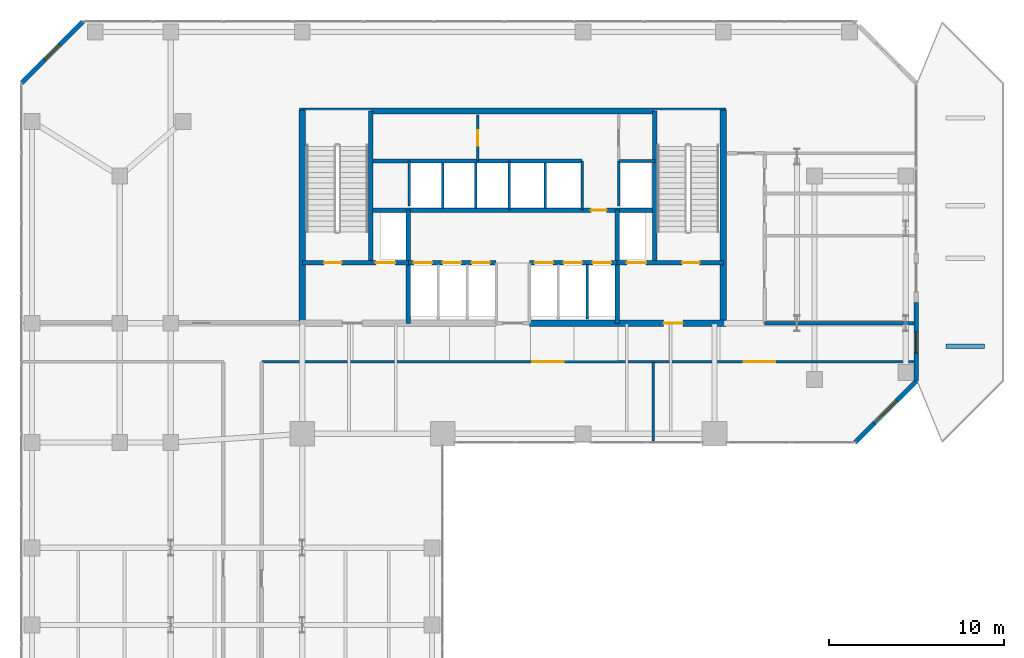
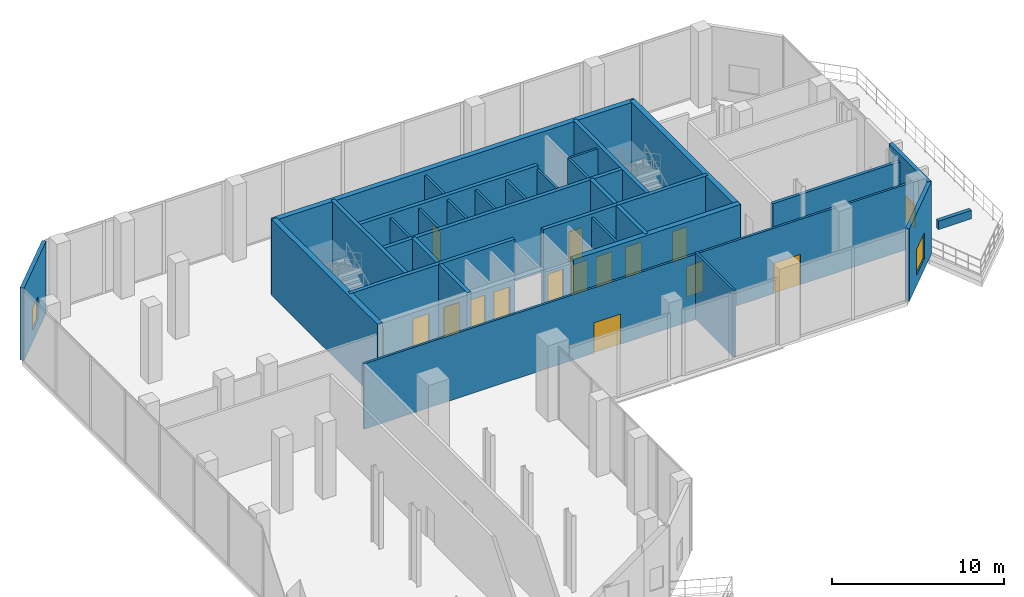
# One storey, part 21 of 24: 31 walls, 15 doors, 3 windows, 18 openings.
"""IFC4 building model written with IfcOpenShell, lengths in metres."""

from ifc_helpers import new_model, si_unit, direction, frame, frame_2d, origin, place, context, subcontext, project, spatial, rectangle, extrude, material, layer, layer_set, type_object, element, fill, save


model = new_model("IFC4")

# Units and contexts
model_context = context("Model", 3, precision=1e-05, world=origin(), true_north=direction((0.0, 1.0)))
body_context = subcontext(model_context, "Body", "Model", "MODEL_VIEW")
ifc_project = project(units=[si_unit("LENGTHUNIT", "METRE"), si_unit("AREAUNIT", "SQUARE_METRE"), si_unit("VOLUMEUNIT", "CUBIC_METRE"), si_unit("PLANEANGLEUNIT", "RADIAN"), si_unit("MASSUNIT", "GRAM", prefix="KILO")], contexts=[model_context])

# Site, building, storey
site_placement = place(None, origin())
site = spatial("IfcSite", under=ifc_project, at=site_placement, CompositionType="ELEMENT")
building_placement = place(site_placement, origin())
building = spatial("IfcBuilding", under=site, at=building_placement, Name="Catumbela Crestline Tower", CompositionType="ELEMENT")
storey_placement = place(building_placement, frame((0.0, 0.0, 84.6)))
storey = spatial("IfcBuildingStorey", under=building, at=storey_placement, Name="L21", CompositionType="ELEMENT", Elevation=84.6)

# Walls
ifc_material_1 = material(Name="Concrete C50/60", Category="concrete")
ifc_layer_1 = layer(ifc_material_1, 0.25, Name="Concrete C50/60")
ifc_layer_set_1 = layer_set([ifc_layer_1], Name="Concrete C50/60")
wall_type_1 = type_object("IfcWallType", Name="CW-250D", PredefinedType="SHEAR", material=ifc_layer_set_1)
for number, where, z_axis, x_axis, name in (
    (1, (19.9, 34.25, 0.0), (0.0, 0.0, 1.0), (0.0, 1.0, 0.0), "L21 Structural Core Shear Wall WWEB"),
    (2, (36.1, 34.25, 0.0), (0.0, 0.0, 1.0), (0.0, 1.0, 0.0), "L21 Structural Core Shear Wall EWEB"),
):
    element("IfcWall", number, at=place(storey_placement, frame(where, z_axis=z_axis, x_axis=x_axis)), inside=storey, type_object=wall_type_1, Name=name, PredefinedType="SHEAR", context=body_context, shape_type="SweptSolid", body=[
        extrude(rectangle(XDim=8.65, YDim=0.25, at=frame_2d((4.325, 0.0))), origin(), (0.0, 0.0, 1.0), 5.4),
    ])
for number, where, z_axis, x_axis, name in (
    (3, (22.05, 30.8, 0.0), (0.0, 0.0, 1.0), (0.0, 1.0, 0.0), "L21 Structural Core Shear Wall FFW"),
    (4, (33.95, 30.8, 0.0), (0.0, 0.0, 1.0), (0.0, 1.0, 0.0), "L21 Structural Core Shear Wall FFE"),
):
    element("IfcWall", number, at=place(storey_placement, frame(where, z_axis=z_axis, x_axis=x_axis)), inside=storey, type_object=wall_type_1, Name=name, PredefinedType="SHEAR", context=body_context, shape_type="SweptSolid", body=[
        extrude(rectangle(XDim=6.45, YDim=0.25, at=frame_2d((3.225, 0.0))), origin(), (0.0, 0.0, 1.0), 5.4),
    ])

# Wall, openings, doors
wall_1_placement = place(storey_placement, frame((16.0, 34.25, 0.0), z_axis=(0.0, 0.0, 1.0), x_axis=(1.0, 0.0, 0.0)))
wall_1 = element("IfcWall", 5, at=wall_1_placement, inside=storey, type_object=wall_type_1, Name="L21 Structural Core Shear Wall ST1S", PredefinedType="SHEAR", context=body_context, shape_type="SweptSolid", body=[
    extrude(rectangle(XDim=6.05, YDim=0.25, at=frame_2d((3.025, 0.0))), origin(), (0.0, 0.0, 1.0), 5.4),
])
opening_1_placement = place(wall_1_placement, frame((1.25, 0.0, 0.0)))
opening_1 = element("IfcOpeningElement", 6, at=opening_1_placement, cuts=wall_1, Name="Opening DF9-100", PredefinedType="OPENING", context=body_context, shape_type="SweptSolid", body=[
    extrude(rectangle(XDim=1.0, YDim=2.15, at=frame_2d((0.5, 1.075))), frame((0.0, 0.135, 0.0), z_axis=(0.0, -1.0, 0.0), x_axis=(1.0, 0.0, 0.0)), (0.0, 0.0, 1.0), 0.27),
])
opening_2_placement = place(wall_1_placement, frame((4.2, 0.0, 0.0)))
opening_2 = element("IfcOpeningElement", 7, at=opening_2_placement, cuts=wall_1, Name="Opening LD-110", PredefinedType="OPENING", context=body_context, shape_type="SweptSolid", body=[
    extrude(rectangle(XDim=1.1, YDim=2.15, at=frame_2d((0.55, 1.075))), frame((0.0, 0.135, 0.0), z_axis=(0.0, -1.0, 0.0), x_axis=(1.0, 0.0, 0.0)), (0.0, 0.0, 1.0), 0.27),
])
ifc_material_2 = material(Name="Stainless steel EN 1.4401", Category="steel")
door_type_1 = type_object("IfcDoorType", Name="DF9-100", OperationType="NOTDEFINED", PredefinedType="DOOR", material=ifc_material_2)
door_1_placement = place(opening_1_placement, origin())
door_1 = element("IfcDoor", 8, at=door_1_placement, inside=storey, type_object=door_type_1, Name="L21 Interior Door DR-L21-ST01", OperationType="SINGLE_SWING_LEFT", OverallHeight=2.15, OverallWidth=1.0, PredefinedType="DOOR", context=body_context, shape_type="SweptSolid", body=[
    extrude(rectangle(XDim=1.0, YDim=2.15, at=frame_2d((0.5, 1.075))), frame((0.0, 0.025, 0.0), z_axis=(0.0, -1.0, 0.0), x_axis=(1.0, 0.0, 0.0)), (0.0, 0.0, 1.0), 0.05),
])
fill(opening_1, door_1)
door_type_2 = type_object("IfcDoorType", Name="LD-110", OperationType="NOTDEFINED", PredefinedType="DOOR", material=ifc_material_2)
door_2_placement = place(opening_2_placement, origin())
door_2 = element("IfcDoor", 9, at=door_2_placement, inside=storey, type_object=door_type_2, Name="L21 Lift Landing Sliding Door FL-01", OperationType="DOUBLE_DOOR_SLIDING", OverallHeight=2.15, OverallWidth=1.1, PredefinedType="DOOR", context=body_context, shape_type="SweptSolid", body=[
    extrude(rectangle(XDim=1.1, YDim=2.15, at=frame_2d((0.55, 1.075))), frame((0.0, 0.025, 0.0), z_axis=(0.0, -1.0, 0.0), x_axis=(1.0, 0.0, 0.0)), (0.0, 0.0, 1.0), 0.05),
])
fill(opening_2, door_2)

wall_2_placement = place(storey_placement, frame((33.95, 34.25, 0.0), z_axis=(0.0, 0.0, 1.0), x_axis=(1.0, 0.0, 0.0)))
wall_2 = element("IfcWall", 10, at=wall_2_placement, inside=storey, type_object=wall_type_1, Name="L21 Structural Core Shear Wall ST2S", PredefinedType="SHEAR", context=body_context, shape_type="SweptSolid", body=[
    extrude(rectangle(XDim=6.05, YDim=0.25, at=frame_2d((3.025, 0.0))), origin(), (0.0, 0.0, 1.0), 5.4),
])
opening_3_placement = place(wall_2_placement, frame((3.7, 0.0, 0.0)))
opening_3 = element("IfcOpeningElement", 11, at=opening_3_placement, cuts=wall_2, Name="Opening DF9-100", PredefinedType="OPENING", context=body_context, shape_type="SweptSolid", body=[
    extrude(rectangle(XDim=1.0, YDim=2.15, at=frame_2d((0.5, 1.075))), frame((0.0, 0.135, 0.0), z_axis=(0.0, -1.0, 0.0), x_axis=(1.0, 0.0, 0.0)), (0.0, 0.0, 1.0), 0.27),
])
opening_4_placement = place(wall_2_placement, frame((0.55, 0.0, 0.0)))
opening_4 = element("IfcOpeningElement", 12, at=opening_4_placement, cuts=wall_2, Name="Opening LD-110", PredefinedType="OPENING", context=body_context, shape_type="SweptSolid", body=[
    extrude(rectangle(XDim=1.1, YDim=2.15, at=frame_2d((0.55, 1.075))), frame((0.0, 0.135, 0.0), z_axis=(0.0, -1.0, 0.0), x_axis=(1.0, 0.0, 0.0)), (0.0, 0.0, 1.0), 0.27),
])
door_3_placement = place(opening_3_placement, origin())
door_3 = element("IfcDoor", 13, at=door_3_placement, inside=storey, type_object=door_type_1, Name="L21 Interior Door DR-L21-ST02", OperationType="SINGLE_SWING_RIGHT", OverallHeight=2.15, OverallWidth=1.0, PredefinedType="DOOR", context=body_context, shape_type="SweptSolid", body=[
    extrude(rectangle(XDim=1.0, YDim=2.15, at=frame_2d((0.5, 1.075))), frame((0.0, 0.025, 0.0), z_axis=(0.0, -1.0, 0.0), x_axis=(1.0, 0.0, 0.0)), (0.0, 0.0, 1.0), 0.05),
])
fill(opening_3, door_3)
door_4_placement = place(opening_4_placement, origin())
door_4 = element("IfcDoor", 14, at=door_4_placement, inside=storey, type_object=door_type_2, Name="L21 Lift Landing Sliding Door FL-02", OperationType="DOUBLE_DOOR_SLIDING", OverallHeight=2.15, OverallWidth=1.1, PredefinedType="DOOR", context=body_context, shape_type="SweptSolid", body=[
    extrude(rectangle(XDim=1.1, YDim=2.15, at=frame_2d((0.55, 1.075))), frame((0.0, 0.025, 0.0), z_axis=(0.0, -1.0, 0.0), x_axis=(1.0, 0.0, 0.0)), (0.0, 0.0, 1.0), 0.05),
])
fill(opening_4, door_4)

wall_3_placement = place(storey_placement, frame((22.05, 34.25, 0.0), z_axis=(0.0, 0.0, 1.0), x_axis=(1.0, 0.0, 0.0)))
wall_3 = element("IfcWall", 15, at=wall_3_placement, inside=storey, type_object=wall_type_1, Name="L21 Structural Core Shear Wall LIFTS-W", PredefinedType="SHEAR", context=body_context, shape_type="SweptSolid", body=[
    extrude(rectangle(XDim=5.0, YDim=0.25, at=frame_2d((2.5, 0.0))), origin(), (0.0, 0.0, 1.0), 5.4),
])
opening_5_placement = place(wall_3_placement, frame((0.3, 0.0, 0.0)))
opening_5 = element("IfcOpeningElement", 16, at=opening_5_placement, cuts=wall_3, Name="Opening LD-105", PredefinedType="OPENING", context=body_context, shape_type="SweptSolid", body=[
    extrude(rectangle(XDim=1.05, YDim=2.15, at=frame_2d((0.525, 1.075))), frame((0.0, 0.135, 0.0), z_axis=(0.0, -1.0, 0.0), x_axis=(1.0, 0.0, 0.0)), (0.0, 0.0, 1.0), 0.27),
])
opening_6_placement = place(wall_3_placement, frame((1.95, 0.0, 0.0)))
opening_6 = element("IfcOpeningElement", 17, at=opening_6_placement, cuts=wall_3, Name="Opening LD-105", PredefinedType="OPENING", context=body_context, shape_type="SweptSolid", body=[
    extrude(rectangle(XDim=1.05, YDim=2.15, at=frame_2d((0.525, 1.075))), frame((0.0, 0.135, 0.0), z_axis=(0.0, -1.0, 0.0), x_axis=(1.0, 0.0, 0.0)), (0.0, 0.0, 1.0), 0.27),
])
opening_7_placement = place(wall_3_placement, frame((3.6, 0.0, 0.0)))
opening_7 = element("IfcOpeningElement", 18, at=opening_7_placement, cuts=wall_3, Name="Opening LD-105", PredefinedType="OPENING", context=body_context, shape_type="SweptSolid", body=[
    extrude(rectangle(XDim=1.05, YDim=2.15, at=frame_2d((0.525, 1.075))), frame((0.0, 0.135, 0.0), z_axis=(0.0, -1.0, 0.0), x_axis=(1.0, 0.0, 0.0)), (0.0, 0.0, 1.0), 0.27),
])
door_type_3 = type_object("IfcDoorType", Name="LD-105", OperationType="NOTDEFINED", PredefinedType="DOOR", material=ifc_material_2)
door_5_placement = place(opening_5_placement, origin())
door_5 = element("IfcDoor", 19, at=door_5_placement, inside=storey, type_object=door_type_3, Name="L21 Lift Landing Sliding Door PL-L1", OperationType="DOUBLE_DOOR_SLIDING", OverallHeight=2.15, OverallWidth=1.05, PredefinedType="DOOR", context=body_context, shape_type="SweptSolid", body=[
    extrude(rectangle(XDim=1.05, YDim=2.15, at=frame_2d((0.525, 1.075))), frame((0.0, 0.025, 0.0), z_axis=(0.0, -1.0, 0.0), x_axis=(1.0, 0.0, 0.0)), (0.0, 0.0, 1.0), 0.05),
])
fill(opening_5, door_5)
door_6_placement = place(opening_6_placement, origin())
door_6 = element("IfcDoor", 20, at=door_6_placement, inside=storey, type_object=door_type_3, Name="L21 Lift Landing Sliding Door PL-L2", OperationType="DOUBLE_DOOR_SLIDING", OverallHeight=2.15, OverallWidth=1.05, PredefinedType="DOOR", context=body_context, shape_type="SweptSolid", body=[
    extrude(rectangle(XDim=1.05, YDim=2.15, at=frame_2d((0.525, 1.075))), frame((0.0, 0.025, 0.0), z_axis=(0.0, -1.0, 0.0), x_axis=(1.0, 0.0, 0.0)), (0.0, 0.0, 1.0), 0.05),
])
fill(opening_6, door_6)
door_7_placement = place(opening_7_placement, origin())
door_7 = element("IfcDoor", 21, at=door_7_placement, inside=storey, type_object=door_type_3, Name="L21 Lift Landing Sliding Door PL-L3", OperationType="DOUBLE_DOOR_SLIDING", OverallHeight=2.15, OverallWidth=1.05, PredefinedType="DOOR", context=body_context, shape_type="SweptSolid", body=[
    extrude(rectangle(XDim=1.05, YDim=2.15, at=frame_2d((0.525, 1.075))), frame((0.0, 0.025, 0.0), z_axis=(0.0, -1.0, 0.0), x_axis=(1.0, 0.0, 0.0)), (0.0, 0.0, 1.0), 0.05),
])
fill(opening_7, door_7)

wall_4_placement = place(storey_placement, frame((28.95, 34.25, 0.0), z_axis=(0.0, 0.0, 1.0), x_axis=(1.0, 0.0, 0.0)))
wall_4 = element("IfcWall", 22, at=wall_4_placement, inside=storey, type_object=wall_type_1, Name="L21 Structural Core Shear Wall LIFTS-E", PredefinedType="SHEAR", context=body_context, shape_type="SweptSolid", body=[
    extrude(rectangle(XDim=5.0, YDim=0.25, at=frame_2d((2.5, 0.0))), origin(), (0.0, 0.0, 1.0), 5.4),
])
opening_8_placement = place(wall_4_placement, frame((0.3, 0.0, 0.0)))
opening_8 = element("IfcOpeningElement", 23, at=opening_8_placement, cuts=wall_4, Name="Opening LD-105", PredefinedType="OPENING", context=body_context, shape_type="SweptSolid", body=[
    extrude(rectangle(XDim=1.05, YDim=2.15, at=frame_2d((0.525, 1.075))), frame((0.0, 0.135, 0.0), z_axis=(0.0, -1.0, 0.0), x_axis=(1.0, 0.0, 0.0)), (0.0, 0.0, 1.0), 0.27),
])
opening_9_placement = place(wall_4_placement, frame((1.95, 0.0, 0.0)))
opening_9 = element("IfcOpeningElement", 24, at=opening_9_placement, cuts=wall_4, Name="Opening LD-105", PredefinedType="OPENING", context=body_context, shape_type="SweptSolid", body=[
    extrude(rectangle(XDim=1.05, YDim=2.15, at=frame_2d((0.525, 1.075))), frame((0.0, 0.135, 0.0), z_axis=(0.0, -1.0, 0.0), x_axis=(1.0, 0.0, 0.0)), (0.0, 0.0, 1.0), 0.27),
])
opening_10_placement = place(wall_4_placement, frame((3.6, 0.0, 0.0)))
opening_10 = element("IfcOpeningElement", 25, at=opening_10_placement, cuts=wall_4, Name="Opening LD-105", PredefinedType="OPENING", context=body_context, shape_type="SweptSolid", body=[
    extrude(rectangle(XDim=1.05, YDim=2.15, at=frame_2d((0.525, 1.075))), frame((0.0, 0.135, 0.0), z_axis=(0.0, -1.0, 0.0), x_axis=(1.0, 0.0, 0.0)), (0.0, 0.0, 1.0), 0.27),
])
door_8_placement = place(opening_8_placement, origin())
door_8 = element("IfcDoor", 26, at=door_8_placement, inside=storey, type_object=door_type_3, Name="L21 Lift Landing Sliding Door PL-M1", OperationType="DOUBLE_DOOR_SLIDING", OverallHeight=2.15, OverallWidth=1.05, PredefinedType="DOOR", context=body_context, shape_type="SweptSolid", body=[
    extrude(rectangle(XDim=1.05, YDim=2.15, at=frame_2d((0.525, 1.075))), frame((0.0, 0.025, 0.0), z_axis=(0.0, -1.0, 0.0), x_axis=(1.0, 0.0, 0.0)), (0.0, 0.0, 1.0), 0.05),
])
fill(opening_8, door_8)
door_9_placement = place(opening_9_placement, origin())
door_9 = element("IfcDoor", 27, at=door_9_placement, inside=storey, type_object=door_type_3, Name="L21 Lift Landing Sliding Door PL-M2", OperationType="DOUBLE_DOOR_SLIDING", OverallHeight=2.15, OverallWidth=1.05, PredefinedType="DOOR", context=body_context, shape_type="SweptSolid", body=[
    extrude(rectangle(XDim=1.05, YDim=2.15, at=frame_2d((0.525, 1.075))), frame((0.0, 0.025, 0.0), z_axis=(0.0, -1.0, 0.0), x_axis=(1.0, 0.0, 0.0)), (0.0, 0.0, 1.0), 0.05),
])
fill(opening_9, door_9)
door_10_placement = place(opening_10_placement, origin())
door_10 = element("IfcDoor", 28, at=door_10_placement, inside=storey, type_object=door_type_3, Name="L21 Lift Landing Sliding Door PL-M3", OperationType="DOUBLE_DOOR_SLIDING", OverallHeight=2.15, OverallWidth=1.05, PredefinedType="DOOR", context=body_context, shape_type="SweptSolid", body=[
    extrude(rectangle(XDim=1.05, YDim=2.15, at=frame_2d((0.525, 1.075))), frame((0.0, 0.025, 0.0), z_axis=(0.0, -1.0, 0.0), x_axis=(1.0, 0.0, 0.0)), (0.0, 0.0, 1.0), 0.05),
])
fill(opening_10, door_10)

# Wall, opening, door
wall_5_placement = place(storey_placement, frame((19.9, 37.25, 0.0), z_axis=(0.0, 0.0, 1.0), x_axis=(1.0, 0.0, 0.0)))
wall_5 = element("IfcWall", 29, at=wall_5_placement, inside=storey, type_object=wall_type_1, Name="L21 Structural Core Shear Wall LIFTN", PredefinedType="SHEAR", context=body_context, shape_type="SweptSolid", body=[
    extrude(rectangle(XDim=16.2, YDim=0.25, at=frame_2d((8.1, 0.0))), origin(), (0.0, 0.0, 1.0), 5.4),
])
opening_11_placement = place(wall_5_placement, frame((12.55, 0.0, 0.0)))
opening_11 = element("IfcOpeningElement", 30, at=opening_11_placement, cuts=wall_5, Name="Opening DF9-090", PredefinedType="OPENING", context=body_context, shape_type="SweptSolid", body=[
    extrude(rectangle(XDim=0.9, YDim=2.15, at=frame_2d((0.45, 1.075))), frame((0.0, 0.135, 0.0), z_axis=(0.0, -1.0, 0.0), x_axis=(1.0, 0.0, 0.0)), (0.0, 0.0, 1.0), 0.27),
])
door_type_4 = type_object("IfcDoorType", Name="DF9-090", OperationType="NOTDEFINED", PredefinedType="DOOR", material=ifc_material_2)
door_11_placement = place(opening_11_placement, origin())
door_11 = element("IfcDoor", 31, at=door_11_placement, inside=storey, type_object=door_type_4, Name="L21 Interior Door DR-L21-CPAS1", OperationType="SINGLE_SWING_LEFT", OverallHeight=2.15, OverallWidth=0.9, PredefinedType="DOOR", context=body_context, shape_type="SweptSolid", body=[
    extrude(rectangle(XDim=0.9, YDim=2.15, at=frame_2d((0.45, 1.075))), frame((0.0, 0.025, 0.0), z_axis=(0.0, -1.0, 0.0), x_axis=(1.0, 0.0, 0.0)), (0.0, 0.0, 1.0), 0.05),
])
fill(opening_11, door_11)

# Walls
wall_6_placement = place(storey_placement, frame((19.9, 40.05, 0.0), z_axis=(0.0, 0.0, 1.0), x_axis=(1.0, 0.0, 0.0)))
element("IfcWall", 32, at=wall_6_placement, inside=storey, type_object=wall_type_1, Name="L21 Structural Core Shear Wall COREN", PredefinedType="SHEAR", context=body_context, shape_type="SweptSolid", body=[
    extrude(rectangle(XDim=12.05, YDim=0.25, at=frame_2d((6.025, 0.0))), origin(), (0.0, 0.0, 1.0), 5.4),
])
ifc_layer_2 = layer(ifc_material_1, 0.35, Name="Concrete C50/60")
ifc_layer_set_2 = layer_set([ifc_layer_2], Name="Concrete C50/60")
wall_type_2 = type_object("IfcWallType", Name="CW-350B", PredefinedType="SHEAR", material=ifc_layer_set_2)
for number, where, z_axis, x_axis, name in (
    (33, (16.0, 30.65, 0.0), (0.0, 0.0, 1.0), (0.0, 1.0, 0.0), "L21 Structural Core Shear Wall W"),
    (34, (40.0, 30.65, 0.0), (0.0, 0.0, 1.0), (0.0, 1.0, 0.0), "L21 Structural Core Shear Wall E"),
):
    element("IfcWall", number, at=place(storey_placement, frame(where, z_axis=z_axis, x_axis=x_axis)), inside=storey, type_object=wall_type_2, Name=name, PredefinedType="SHEAR", context=body_context, shape_type="SweptSolid", body=[
        extrude(rectangle(XDim=12.3, YDim=0.35, at=frame_2d((6.15, 0.0))), origin(), (0.0, 0.0, 1.0), 5.4),
    ])
wall_7_placement = place(storey_placement, frame((15.85, 42.9, 0.0), z_axis=(0.0, 0.0, 1.0), x_axis=(1.0, 0.0, 0.0)))
element("IfcWall", 35, at=wall_7_placement, inside=storey, type_object=wall_type_2, Name="L21 Structural Core Shear Wall N", PredefinedType="SHEAR", context=body_context, shape_type="SweptSolid", body=[
    extrude(rectangle(XDim=24.3, YDim=0.35, at=frame_2d((12.15, 0.0))), origin(), (0.0, 0.0, 1.0), 5.4),
])

# Wall, opening, door
wall_8_placement = place(storey_placement, frame((28.95, 30.8, 0.0), z_axis=(0.0, 0.0, 1.0), x_axis=(1.0, 0.0, 0.0)))
wall_8 = element("IfcWall", 36, at=wall_8_placement, inside=storey, type_object=wall_type_2, Name="L21 Structural Core Shear Wall SE", PredefinedType="SHEAR", context=body_context, shape_type="SweptSolid", body=[
    extrude(rectangle(XDim=11.2, YDim=0.35, at=frame_2d((5.6, 0.0))), origin(), (0.0, 0.0, 1.0), 5.4),
])
opening_12_placement = place(wall_8_placement, frame((7.65, 0.0, 0.0)))
opening_12 = element("IfcOpeningElement", 37, at=opening_12_placement, cuts=wall_8, Name="Opening DF9-110", PredefinedType="OPENING", context=body_context, shape_type="SweptSolid", body=[
    extrude(rectangle(XDim=1.1, YDim=2.15, at=frame_2d((0.55, 1.075))), frame((0.0, 0.185, 0.0), z_axis=(0.0, -1.0, 0.0), x_axis=(1.0, 0.0, 0.0)), (0.0, 0.0, 1.0), 0.37),
])
door_type_5 = type_object("IfcDoorType", Name="DF9-110", OperationType="NOTDEFINED", PredefinedType="DOOR", material=ifc_material_2)
door_12_placement = place(opening_12_placement, origin())
door_12 = element("IfcDoor", 38, at=door_12_placement, inside=storey, type_object=door_type_5, Name="L21 Interior Door DR-L21-FFE-S", OperationType="SINGLE_SWING_RIGHT", OverallHeight=2.15, OverallWidth=1.1, PredefinedType="DOOR", context=body_context, shape_type="SweptSolid", body=[
    extrude(rectangle(XDim=1.1, YDim=2.15, at=frame_2d((0.55, 1.075))), frame((0.0, 0.025, 0.0), z_axis=(0.0, -1.0, 0.0), x_axis=(1.0, 0.0, 0.0)), (0.0, 0.0, 1.0), 0.05),
])
fill(opening_12, door_12)

# Wall
ifc_material_3 = material(Name="Acoustic gypsum and mineral-wool partition")
ifc_layer_3 = layer(ifc_material_3, 0.2, Name="Acoustic gypsum and mineral-wool partition")
ifc_layer_set_3 = layer_set([ifc_layer_3], Name="Acoustic gypsum and mineral-wool partition")
wall_type_3 = type_object("IfcWallType", Name="WC-200", PredefinedType="PARTITIONING", material=ifc_layer_set_3)
wall_9_placement = place(storey_placement, frame((42.35, 30.8, 0.0), z_axis=(0.0, 0.0, 1.0), x_axis=(1.0, 0.0, 0.0)))
element("IfcWall", 39, at=wall_9_placement, inside=storey, type_object=wall_type_3, Name="L21 Interior Partition PW-L21-ELNGS", PredefinedType="PARTITIONING", context=body_context, shape_type="SweptSolid", body=[
    extrude(rectangle(XDim=8.55, YDim=0.2, at=frame_2d((4.275, 0.0))), origin(), (0.0, 0.0, 1.0), 4.63),
])

# Wall, opening, window
ifc_material_4 = material(Name="Angolan grey-ochre granite", Category="masonry")
ifc_layer_4 = layer(ifc_material_4, 0.25, Name="Angolan grey-ochre granite")
ifc_layer_set_4 = layer_set([ifc_layer_4], Name="Angolan grey-ochre granite")
wall_type_4 = type_object("IfcWallType", Name="WE-250", PredefinedType="STANDARD", material=ifc_layer_set_4)
wall_10_placement = place(storey_placement, frame((47.5, 24.0, 0.0), z_axis=(0.0, 0.0, 1.0), x_axis=(0.707106781187, 0.707106781187, 0.0)))
wall_10 = element("IfcWall", 40, at=wall_10_placement, inside=storey, type_object=wall_type_4, Name="L21 Granite Punched Window Wall 4-1", PredefinedType="STANDARD", context=body_context, shape_type="SweptSolid", body=[
    extrude(rectangle(XDim=4.9497, YDim=0.25, at=frame_2d((2.4748, 0.0))), origin(), (0.0, 0.0, 1.0), 5.13),
])
opening_13_placement = place(wall_10_placement, frame((1.5749, 0.0, 0.75)))
opening_13 = element("IfcOpeningElement", 41, at=opening_13_placement, cuts=wall_10, Name="Opening WN-01", PredefinedType="OPENING", context=body_context, shape_type="SweptSolid", body=[
    extrude(rectangle(XDim=1.8, YDim=1.85, at=frame_2d((0.9, 0.925))), frame((0.0, 0.135, 0.0), z_axis=(0.0, -1.0, 0.0), x_axis=(1.0, 0.0, 0.0)), (0.0, 0.0, 1.0), 0.27),
])
ifc_material_5 = material(Name="Low-E laminated solar-control double glazing", Category="glass")
window_type_1 = type_object("IfcWindowType", Name="WF-1800", PartitioningType="SINGLE_PANEL", PredefinedType="WINDOW", material=ifc_material_5)
window_1_placement = place(opening_13_placement, origin())
window_1 = element("IfcWindow", 42, at=window_1_placement, inside=storey, type_object=window_type_1, Name="L21 Facade Vision Window 125", OverallHeight=1.85, OverallWidth=1.8, PartitioningType="SINGLE_PANEL", PredefinedType="WINDOW", context=body_context, shape_type="SweptSolid", body=[
    extrude(rectangle(XDim=1.8, YDim=1.85, at=frame_2d((0.9, 0.925))), frame((0.0, 0.03, 0.0), z_axis=(0.0, -1.0, 0.0), x_axis=(1.0, 0.0, 0.0)), (0.0, 0.0, 1.0), 0.06),
])
fill(opening_13, window_1)

wall_11_placement = place(storey_placement, frame((51.0, 27.5, 0.0), z_axis=(0.0, 0.0, 1.0), x_axis=(0.0, 1.0, 0.0)))
wall_11 = element("IfcWall", 43, at=wall_11_placement, inside=storey, type_object=wall_type_4, Name="L21 Granite Punched Window Wall 5-1", PredefinedType="STANDARD", context=body_context, shape_type="SweptSolid", body=[
    extrude(rectangle(XDim=4.5, YDim=0.25, at=frame_2d((2.25, 0.0))), origin(), (0.0, 0.0, 1.0), 5.13),
])
opening_14_placement = place(wall_11_placement, frame((1.6, 0.0, 0.85)))
opening_14 = element("IfcOpeningElement", 44, at=opening_14_placement, cuts=wall_11, Name="Opening WN-02", PredefinedType="OPENING", context=body_context, shape_type="SweptSolid", body=[
    extrude(rectangle(XDim=1.2, YDim=1.6, at=frame_2d((0.6, 0.8))), frame((0.0, 0.135, 0.0), z_axis=(0.0, -1.0, 0.0), x_axis=(1.0, 0.0, 0.0)), (0.0, 0.0, 1.0), 0.27),
])
window_type_2 = type_object("IfcWindowType", Name="WO-1200", PartitioningType="SINGLE_PANEL", PredefinedType="WINDOW", material=ifc_material_5)
window_2_placement = place(opening_14_placement, origin())
window_2 = element("IfcWindow", 45, at=window_2_placement, inside=storey, type_object=window_type_2, Name="L21 Facade Vision Window 126", OverallHeight=1.6, OverallWidth=1.2, PartitioningType="SINGLE_PANEL", PredefinedType="WINDOW", context=body_context, shape_type="SweptSolid", body=[
    extrude(rectangle(XDim=1.2, YDim=1.6, at=frame_2d((0.6, 0.8))), frame((0.0, 0.03, 0.0), z_axis=(0.0, -1.0, 0.0), x_axis=(1.0, 0.0, 0.0)), (0.0, 0.0, 1.0), 0.06),
])
fill(opening_14, window_2)

wall_12_placement = place(storey_placement, frame((3.5, 48.0, 0.0), z_axis=(0.0, 0.0, 1.0), x_axis=(-0.707106781187, -0.707106781187, 0.0)))
wall_12 = element("IfcWall", 46, at=wall_12_placement, inside=storey, type_object=wall_type_4, Name="L21 Granite Punched Window Wall 8-1", PredefinedType="STANDARD", context=body_context, shape_type="SweptSolid", body=[
    extrude(rectangle(XDim=4.9497, YDim=0.25, at=frame_2d((2.4748, 0.0))), origin(), (0.0, 0.0, 1.0), 5.13),
])
opening_15_placement = place(wall_12_placement, frame((1.8748, 0.0, 0.85)))
opening_15 = element("IfcOpeningElement", 47, at=opening_15_placement, cuts=wall_12, Name="Opening WN-02", PredefinedType="OPENING", context=body_context, shape_type="SweptSolid", body=[
    extrude(rectangle(XDim=1.2, YDim=1.6, at=frame_2d((0.6, 0.8))), frame((0.0, 0.135, 0.0), z_axis=(0.0, -1.0, 0.0), x_axis=(1.0, 0.0, 0.0)), (0.0, 0.0, 1.0), 0.27),
])
window_3_placement = place(opening_15_placement, origin())
window_3 = element("IfcWindow", 48, at=window_3_placement, inside=storey, type_object=window_type_2, Name="L21 Facade Vision Window 128", OverallHeight=1.6, OverallWidth=1.2, PartitioningType="SINGLE_PANEL", PredefinedType="WINDOW", context=body_context, shape_type="SweptSolid", body=[
    extrude(rectangle(XDim=1.2, YDim=1.6, at=frame_2d((0.6, 0.8))), frame((0.0, 0.03, 0.0), z_axis=(0.0, -1.0, 0.0), x_axis=(1.0, 0.0, 0.0)), (0.0, 0.0, 1.0), 0.06),
])
fill(opening_15, window_3)

# Wall
ifc_layer_5 = layer(ifc_material_3, 0.15, Name="Acoustic gypsum and mineral-wool partition")
ifc_layer_set_5 = layer_set([ifc_layer_5], Name="Acoustic gypsum and mineral-wool partition")
wall_type_5 = type_object("IfcWallType", Name="WP-150", PredefinedType="PARTITIONING", material=ifc_layer_set_5)
wall_13_placement = place(storey_placement, frame((34.05, 40.05, 0.0), z_axis=(0.0, 0.0, 1.0), x_axis=(1.0, 0.0, 0.0)))
element("IfcWall", 49, at=wall_13_placement, inside=storey, type_object=wall_type_5, Name="L21 Interior Partition PW-L21-CR-ES", PredefinedType="PARTITIONING", context=body_context, shape_type="SweptSolid", body=[
    extrude(rectangle(XDim=2.05, YDim=0.15, at=frame_2d((1.025, 0.0))), origin(), (0.0, 0.0, 1.0), 5.13),
])

# Wall, opening, door
wall_14_placement = place(storey_placement, frame((26.0, 40.05, 0.0), z_axis=(0.0, 0.0, 1.0), x_axis=(0.0, 1.0, 0.0)))
wall_14 = element("IfcWall", 50, at=wall_14_placement, inside=storey, type_object=wall_type_5, Name="L21 Interior Partition PW-L21-CR-WW", PredefinedType="PARTITIONING", context=body_context, shape_type="SweptSolid", body=[
    extrude(rectangle(XDim=2.63, YDim=0.15, at=frame_2d((1.315, 0.0))), origin(), (0.0, 0.0, 1.0), 5.13),
])
opening_16_placement = place(wall_14_placement, frame((0.865, 0.0, 0.0)))
opening_16 = element("IfcOpeningElement", 51, at=opening_16_placement, cuts=wall_14, Name="Opening DF9-090", PredefinedType="OPENING", context=body_context, shape_type="SweptSolid", body=[
    extrude(rectangle(XDim=0.9, YDim=2.15, at=frame_2d((0.45, 1.075))), frame((0.0, 0.085, 0.0), z_axis=(0.0, -1.0, 0.0), x_axis=(1.0, 0.0, 0.0)), (0.0, 0.0, 1.0), 0.17),
])
door_13_placement = place(opening_16_placement, origin())
door_13 = element("IfcDoor", 52, at=door_13_placement, inside=storey, type_object=door_type_4, Name="L21 Interior Door DR-L21-CRWEST", OperationType="SINGLE_SWING_LEFT", OverallHeight=2.15, OverallWidth=0.9, PredefinedType="DOOR", context=body_context, shape_type="SweptSolid", body=[
    extrude(rectangle(XDim=0.9, YDim=2.15, at=frame_2d((0.45, 1.075))), frame((0.0, 0.025, 0.0), z_axis=(0.0, -1.0, 0.0), x_axis=(1.0, 0.0, 0.0)), (0.0, 0.0, 1.0), 0.05),
])
fill(opening_16, door_13)

# Wall, openings, doors
wall_15_placement = place(storey_placement, frame((13.7, 28.6, 0.0), z_axis=(0.0, 0.0, 1.0), x_axis=(1.0, 0.0, 0.0)))
wall_15 = element("IfcWall", 53, at=wall_15_placement, inside=storey, type_object=wall_type_5, Name="L21 Interior Partition PW-L21-SKREC", PredefinedType="PARTITIONING", context=body_context, shape_type="SweptSolid", body=[
    extrude(rectangle(XDim=37.2, YDim=0.15, at=frame_2d((18.6, 0.0))), origin(), (0.0, 0.0, 1.0), 4.63),
])
opening_17_placement = place(wall_15_placement, frame((15.4, 0.0, 0.0)))
opening_17 = element("IfcOpeningElement", 54, at=opening_17_placement, cuts=wall_15, Name="Opening DD-180", PredefinedType="OPENING", context=body_context, shape_type="SweptSolid", body=[
    extrude(rectangle(XDim=1.8, YDim=2.15, at=frame_2d((0.9, 1.075))), frame((0.0, 0.085, 0.0), z_axis=(0.0, -1.0, 0.0), x_axis=(1.0, 0.0, 0.0)), (0.0, 0.0, 1.0), 0.17),
])
opening_18_placement = place(wall_15_placement, frame((27.46, 0.0, 0.0)))
opening_18 = element("IfcOpeningElement", 55, at=opening_18_placement, cuts=wall_15, Name="Opening DD-180", PredefinedType="OPENING", context=body_context, shape_type="SweptSolid", body=[
    extrude(rectangle(XDim=1.8, YDim=2.15, at=frame_2d((0.9, 1.075))), frame((0.0, 0.085, 0.0), z_axis=(0.0, -1.0, 0.0), x_axis=(1.0, 0.0, 0.0)), (0.0, 0.0, 1.0), 0.17),
])
ifc_material_6 = material(Name="Aluminium alloy AW-6060-T66", Category="aluminium")
door_type_6 = type_object("IfcDoorType", Name="DD-180", OperationType="NOTDEFINED", PredefinedType="DOOR", material=ifc_material_6)
door_14_placement = place(opening_17_placement, origin())
door_14 = element("IfcDoor", 56, at=door_14_placement, inside=storey, type_object=door_type_6, Name="L21 Interior Door DR-L21-SKREC", OperationType="DOUBLE_DOOR_SINGLE_SWING", OverallHeight=2.15, OverallWidth=1.8, PredefinedType="DOOR", context=body_context, shape_type="SweptSolid", body=[
    extrude(rectangle(XDim=1.8, YDim=2.15, at=frame_2d((0.9, 1.075))), frame((0.0, 0.025, 0.0), z_axis=(0.0, -1.0, 0.0), x_axis=(1.0, 0.0, 0.0)), (0.0, 0.0, 1.0), 0.05),
])
fill(opening_17, door_14)
door_15_placement = place(opening_18_placement, origin())
door_15 = element("IfcDoor", 57, at=door_15_placement, inside=storey, type_object=door_type_6, Name="L21 Interior Door DR-L21-SKCAF", OperationType="DOUBLE_DOOR_SINGLE_SWING", OverallHeight=2.15, OverallWidth=1.8, PredefinedType="DOOR", context=body_context, shape_type="SweptSolid", body=[
    extrude(rectangle(XDim=1.8, YDim=2.15, at=frame_2d((0.9, 1.075))), frame((0.0, 0.025, 0.0), z_axis=(0.0, -1.0, 0.0), x_axis=(1.0, 0.0, 0.0)), (0.0, 0.0, 1.0), 0.05),
])
fill(opening_18, door_15)

# Walls
wall_16_placement = place(storey_placement, frame((36.0, 24.1, 0.0), z_axis=(0.0, 0.0, 1.0), x_axis=(0.0, 1.0, 0.0)))
element("IfcWall", 58, at=wall_16_placement, inside=storey, type_object=wall_type_5, Name="L21 Interior Partition PW-L21-SKRECE", PredefinedType="PARTITIONING", context=body_context, shape_type="SweptSolid", body=[
    extrude(rectangle(XDim=4.5, YDim=0.15, at=frame_2d((2.25, 0.0))), origin(), (0.0, 0.0, 1.0), 4.72),
])
ifc_material_7 = material(Name="Concrete C40/50", Category="concrete")
ifc_layer_6 = layer(ifc_material_7, 0.25, Name="Concrete C40/50")
ifc_layer_set_6 = layer_set([ifc_layer_6], Name="Concrete C40/50")
wall_type_6 = type_object("IfcWallType", Name="WPL-250", PredefinedType="USERDEFINED", material=ifc_layer_set_6)
wall_17_placement = place(storey_placement, frame((52.7, 29.5, -0.02), z_axis=(0.0, 0.0, 1.0), x_axis=(1.0, 0.0, 0.0)))
element("IfcWall", 59, at=wall_17_placement, inside=storey, type_object=wall_type_6, Name="L21 Planted Sky-Garden GRC Planter Kerb 5", ObjectType="PLANTER", PredefinedType="USERDEFINED", context=body_context, shape_type="SweptSolid", body=[
    extrude(rectangle(XDim=2.2, YDim=0.25, at=frame_2d((1.1, 0.0))), origin(), (0.0, 0.0, 1.0), 0.6),
])
ifc_layer_7 = layer(ifc_material_3, 0.15, Name="Acoustic gypsum and mineral-wool partition")
ifc_layer_set_7 = layer_set([ifc_layer_7], Name="Acoustic gypsum and mineral-wool partition")
wall_type_7 = type_object("IfcWallType", Name="WS-150", PredefinedType="PLUMBINGWALL", material=ifc_layer_set_7)
wall_18_placement = place(storey_placement, frame((32.25, 31.05, 0.0), z_axis=(0.0, 0.0, 1.0), x_axis=(0.0, 1.0, 0.0)))
element("IfcWall", 60, at=wall_18_placement, inside=storey, type_object=wall_type_7, Name="L21 Interior Partition PW-L21-SHM2", PredefinedType="PLUMBINGWALL", context=body_context, shape_type="SweptSolid", body=[
    extrude(rectangle(XDim=3.1, YDim=0.15, at=frame_2d((1.55, 0.0))), origin(), (0.0, 0.0, 1.0), 5.13),
])
wall_19_placement = place(storey_placement, frame((22.1, 37.4897, 0.0), z_axis=(0.0, 0.0, 1.0), x_axis=(0.0, 1.0, 0.0)))
element("IfcWall", 61, at=wall_19_placement, inside=storey, type_object=wall_type_7, Name="L21 Interior Partition PW-L21-SHH0", PredefinedType="PLUMBINGWALL", context=body_context, shape_type="SweptSolid", body=[
    extrude(rectangle(XDim=2.5603, YDim=0.15, at=frame_2d((1.2801, 0.0))), origin(), (0.0, 0.0, 1.0), 5.13),
])
wall_20_placement = place(storey_placement, frame((27.8, 37.25, 0.0), z_axis=(0.0, 0.0, 1.0), x_axis=(0.0, 1.0, 0.0)))
element("IfcWall", 62, at=wall_20_placement, inside=storey, type_object=wall_type_7, Name="L21 Interior Partition PW-L21-SHH3", PredefinedType="PLUMBINGWALL", context=body_context, shape_type="SweptSolid", body=[
    extrude(rectangle(XDim=2.8, YDim=0.15, at=frame_2d((1.4, 0.0))), origin(), (0.0, 0.0, 1.0), 5.13),
])
for number, where, z_axis, x_axis, name in (
    (63, (24.0, 37.35, 0.0), (0.0, 0.0, 1.0), (0.0, 1.0, 0.0), "L21 Interior Partition PW-L21-SHH1"),
    (64, (25.9, 37.35, 0.0), (0.0, 0.0, 1.0), (0.0, 1.0, 0.0), "L21 Interior Partition PW-L21-SHH2"),
):
    element("IfcWall", number, at=place(storey_placement, frame(where, z_axis=z_axis, x_axis=x_axis)), inside=storey, type_object=wall_type_7, Name=name, PredefinedType="PLUMBINGWALL", context=body_context, shape_type="SweptSolid", body=[
        extrude(rectangle(XDim=2.6, YDim=0.15, at=frame_2d((1.3, 0.0))), origin(), (0.0, 0.0, 1.0), 5.13),
    ])
wall_21_placement = place(storey_placement, frame((31.95, 37.25, 0.0), z_axis=(0.0, 0.0, 1.0), x_axis=(0.0, 1.0, 0.0)))
element("IfcWall", 65, at=wall_21_placement, inside=storey, type_object=wall_type_7, Name="L21 Interior Partition PW-L21-SHEX2E", PredefinedType="PLUMBINGWALL", context=body_context, shape_type="SweptSolid", body=[
    extrude(rectangle(XDim=2.8, YDim=0.15, at=frame_2d((1.4, 0.0))), origin(), (0.0, 0.0, 1.0), 5.13),
])
wall_22_placement = place(storey_placement, frame((29.85, 37.35, 0.0), z_axis=(0.0, 0.0, 1.0), x_axis=(0.0, 1.0, 0.0)))
element("IfcWall", 66, at=wall_22_placement, inside=storey, type_object=wall_type_7, Name="L21 Interior Partition PW-L21-SHEX1", PredefinedType="PLUMBINGWALL", context=body_context, shape_type="SweptSolid", body=[
    extrude(rectangle(XDim=2.6, YDim=0.15, at=frame_2d((1.3, 0.0))), origin(), (0.0, 0.0, 1.0), 5.13),
])
wall_23_placement = place(storey_placement, frame((34.05, 37.4734, 0.0), z_axis=(0.0, 0.0, 1.0), x_axis=(0.0, 1.0, 0.0)))
element("IfcWall", 67, at=wall_23_placement, inside=storey, type_object=wall_type_7, Name="L21 Interior Partition PW-L21-RISW", PredefinedType="PLUMBINGWALL", context=body_context, shape_type="SweptSolid", body=[
    extrude(rectangle(XDim=2.5766, YDim=0.15, at=frame_2d((1.2883, 0.0))), origin(), (0.0, 0.0, 1.0), 5.13),
])

save(model, "model.ifc")
